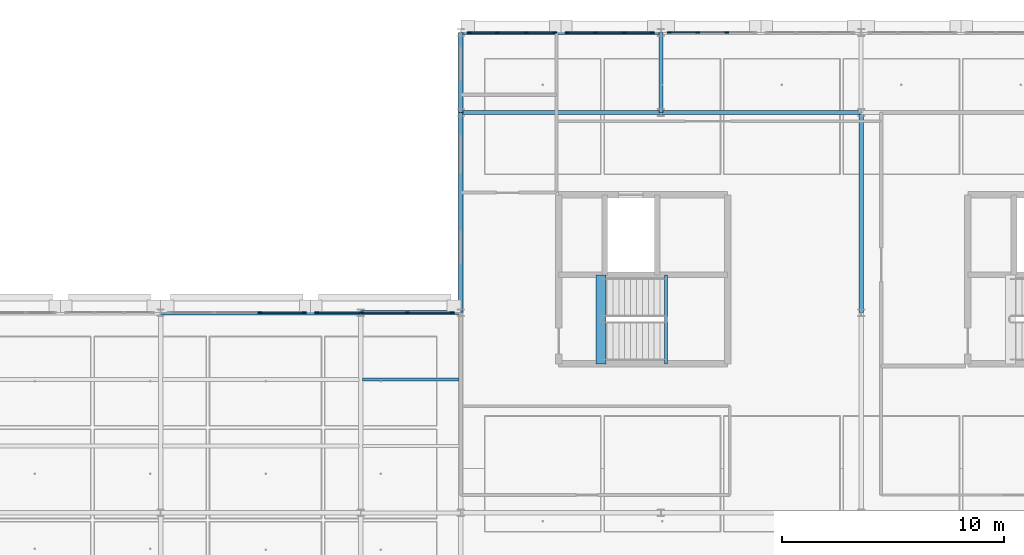
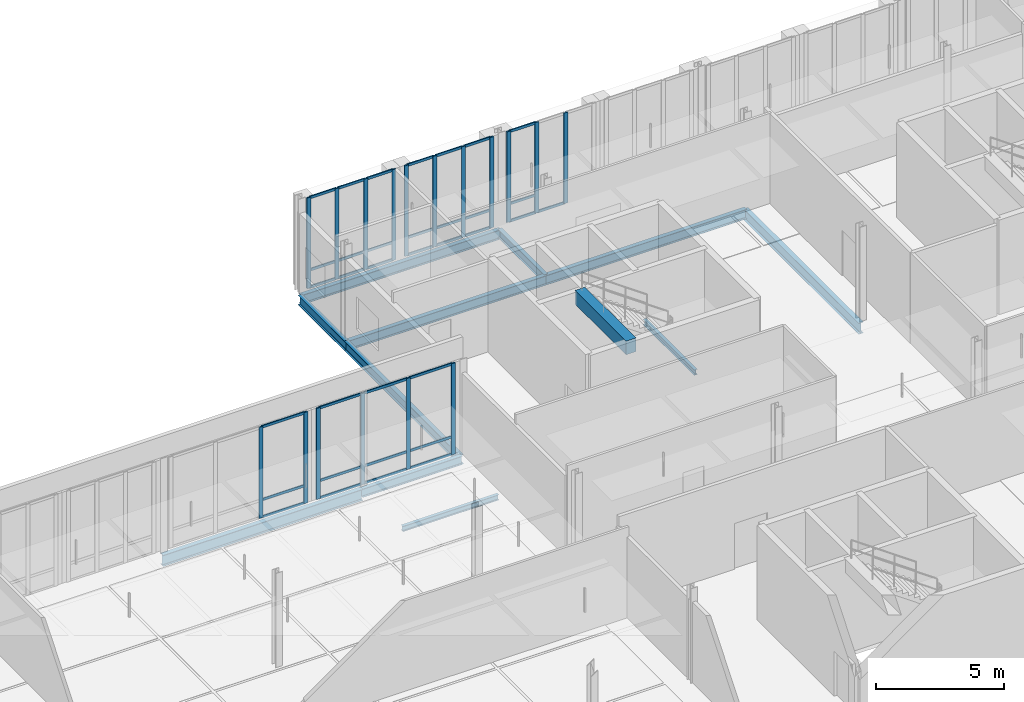
# One storey, part 28 of 89: 51 members, 12 beams, 5 elements without a shape of their own.
"""IFC4 building model written with IfcOpenShell, lengths in metres."""

import ifcopenshell
import ifcopenshell.guid

model = None  # the IFC model being written
_history = None  # IfcOwnerHistory: only IFC2X3 demands one
_inside = {}  # id of a spatial element -> (the spatial element, [elements in it])
_under = {}  # id of a project, library or spatial element -> (it, [spatial elements below it])
_declared = {}  # id of a project -> (the project, [libraries it declares])
_typed = {}  # id of a type object -> (the type object, [elements of that type])
_made_of = {}  # id of a material, layer set ... -> (it, [elements and type objects made of it])


def new_model(schema):
    """Start an empty IFC model of exactly this schema.

    Asked for "IFC4X3", IfcOpenShell would pick the latest addendum, in which some entities
    have other attributes; the version numbers below select the first issue.
    IFC2X3 requires an IfcOwnerHistory on every rooted entity: one is made here for all.
    """
    global model, _history
    if schema == "IFC4X3":
        model = ifcopenshell.file(schema_version=(4, 3, 0, 0))
    else:
        model = ifcopenshell.file(schema=schema)
    _inside.clear()
    _under.clear()
    _declared.clear()
    _typed.clear()
    _made_of.clear()
    _history = None
    if model.schema == "IFC2X3":
        org = make("IfcOrganization", Name="unknown")
        user = make(
            "IfcPersonAndOrganization",
            ThePerson=make("IfcPerson", FamilyName="unknown"),
            TheOrganization=org,
        )
        app = make(
            "IfcApplication",
            ApplicationDeveloper=org,
            Version="unknown",
            ApplicationFullName="unknown",
            ApplicationIdentifier="unknown",
        )
        _history = make(
            "IfcOwnerHistory",
            OwningUser=user,
            OwningApplication=app,
            ChangeAction="ADDED",
            CreationDate=0,
        )
    return model


def make(cls, **values):
    """One entity of the class cls with the attributes given. An attribute that is None is left unset."""
    return model.create_entity(
        cls, **{name: value for name, value in values.items() if value is not None}
    )


def rooted(cls, **values):
    """An entity with a GlobalId (a new one), such as an element, a storey or a relation."""
    return make(cls, GlobalId=ifcopenshell.guid.new(), OwnerHistory=_history, **values)


def si_unit(unit_type, name, prefix=None):
    """IfcSIUnit, for example si_unit("LENGTHUNIT", "METRE", prefix="MILLI")."""
    return make("IfcSIUnit", UnitType=unit_type, Prefix=prefix, Name=name)


def assignment(units):
    """IfcUnitAssignment: the units of a project."""
    return None if units is None else make("IfcUnitAssignment", Units=units)


def point(xyz):
    """IfcCartesianPoint."""
    return None if xyz is None else make("IfcCartesianPoint", Coordinates=xyz)


def direction(xyz):
    """IfcDirection."""
    return None if xyz is None else make("IfcDirection", DirectionRatios=xyz)


def frame(location, z_axis=None, x_axis=None):
    """IfcAxis2Placement3D, a coordinate frame: its origin and axes. An axis left out is left unset."""
    return make(
        "IfcAxis2Placement3D",
        Location=point(location),
        Axis=direction(z_axis),
        RefDirection=direction(x_axis),
    )


def frame_2d(location, x_axis=None):
    """IfcAxis2Placement2D, a coordinate frame in the plane: its origin and x axis."""
    return make(
        "IfcAxis2Placement2D", Location=point(location), RefDirection=direction(x_axis)
    )


def origin():
    """The frame at (0, 0, 0) with its axes left unset."""
    return frame((0.0, 0.0, 0.0))


def origin_2d():
    """The frame at (0, 0) in the plane with its x axis left unset."""
    return frame_2d((0.0, 0.0))


def place(relative_to, where):
    """IfcLocalPlacement: puts the frame where relative to a parent placement (None: the world)."""
    return make(
        "IfcLocalPlacement", PlacementRelTo=relative_to, RelativePlacement=where
    )


def context(
    kind, dimensions, precision=None, world=None, true_north=None, identifier=None
):
    """IfcGeometricRepresentationContext, for example the 3D "Model" context."""
    return make(
        "IfcGeometricRepresentationContext",
        ContextIdentifier=identifier,
        ContextType=kind,
        CoordinateSpaceDimension=dimensions,
        Precision=precision,
        WorldCoordinateSystem=world,
        TrueNorth=true_north,
    )


def subcontext(parent, identifier, kind, view, scale=None):
    """IfcGeometricRepresentationSubContext, for example "Body" below "Model"."""
    return make(
        "IfcGeometricRepresentationSubContext",
        ContextIdentifier=identifier,
        ContextType=kind,
        ParentContext=parent,
        TargetScale=scale,
        TargetView=view,
    )


def project(units=None, contexts=None):
    """IfcProject with its units and contexts."""
    return rooted(
        "IfcProject",
        Name="project",
        RepresentationContexts=contexts,
        UnitsInContext=assignment(units),
    )


def spatial(cls, under=None, at=None, **own):
    """A site, building, storey or space (cls), placed at a placement, below another one or the project."""
    s = rooted(cls, ObjectPlacement=at, **own)
    if under is not None:
        _under.setdefault(under.id(), (under, []))[1].append(s)
    return s


def profile(cls, at=None, kind="AREA", **sizes):
    """A parametric profile (cls). Its sizes go by their IFC names, for example OverallWidth=200.0."""
    return make(cls, ProfileType=kind, Position=at, **sizes)


def rectangle(**sizes):
    """IfcRectangleProfileDef."""
    return profile("IfcRectangleProfileDef", **sizes)


def i_section(**sizes):
    """IfcIShapeProfileDef."""
    return profile("IfcIShapeProfileDef", **sizes)


def extrude(swept, where, along, depth):
    """IfcExtrudedAreaSolid: the profile swept, set in the frame where, extruded along a direction by depth."""
    return make(
        "IfcExtrudedAreaSolid",
        SweptArea=swept,
        Position=where,
        ExtrudedDirection=direction(along),
        Depth=depth,
    )


def shape(context_of_items, identifier, shape_type, items):
    """IfcShapeRepresentation: the items that make up one representation, for example the "Body"."""
    return make(
        "IfcShapeRepresentation",
        ContextOfItems=context_of_items,
        RepresentationIdentifier=identifier,
        RepresentationType=shape_type,
        Items=items,
    )


def material(Name=None, Category=None):
    """IfcMaterial."""
    return make("IfcMaterial", Name=Name, Category=Category)


def material_profile(
    of_material, cross_section, Name=None, Category=None, Priority=None
):
    """IfcMaterialProfile: a cross section and its material."""
    return make(
        "IfcMaterialProfile",
        Name=Name,
        Material=of_material,
        Profile=cross_section,
        Priority=Priority,
        Category=Category,
    )


def profile_set(profiles, Name=None, composite=None):
    """IfcMaterialProfileSet."""
    return make(
        "IfcMaterialProfileSet",
        Name=Name,
        MaterialProfiles=profiles,
        CompositeProfile=composite,
    )


def made_of(thing, what):
    """Note that an element or type object is made of a material, layer set ...; save() writes the relation."""
    if what is not None:
        _made_of.setdefault(what.id(), (what, []))[1].append(thing)
    return thing


def type_object(cls, material=None, **own):
    """A type object (cls), such as IfcWallType, which elements share."""
    return made_of(rooted(cls, **own), material)


def element(
    cls,
    number,
    at=None,
    inside=None,
    cuts=None,
    type_object=None,
    material=None,
    context=None,
    identifier="Body",
    shape_type=None,
    held_by="IfcProductDefinitionShape",
    body=None,
    shapes=None,
    **own,
):
    """One element of the class cls, such as IfcWall. Its Tag is "e" and its number.

    at: its placement. inside: the storey or other place that contains it. cuts: it is an
    opening in that element (IfcRelVoidsElement). A single representation is given by context,
    identifier, shape_type and body (its items); several are given by shapes. held_by: the class
    of the entity that holds the representations. save() writes the other relations.
    """
    e = rooted(cls, Tag="e%d" % number, ObjectPlacement=at, **own)
    if body is not None:
        shapes = [shape(context, identifier, shape_type, body)]
    if shapes is not None:
        e.Representation = make(held_by, Representations=shapes)
    if inside is not None:
        _inside.setdefault(inside.id(), (inside, []))[1].append(e)
    if cuts is not None:
        rooted(
            "IfcRelVoidsElement", RelatingBuildingElement=cuts, RelatedOpeningElement=e
        )
    if type_object is not None:
        _typed.setdefault(type_object.id(), (type_object, []))[1].append(e)
    return made_of(e, material)


def aggregate(whole, parts):
    """IfcRelAggregates: a whole, such as a stair, and the parts it consists of."""
    return rooted("IfcRelAggregates", RelatingObject=whole, RelatedObjects=parts)


def save(model, path):
    """Write the relations noted so far, then the file.

    IfcRelAggregates (storeys below a building ...), IfcRelContainedInSpatialStructure (elements
    in a storey), IfcRelDefinesByType, IfcRelAssociatesMaterial and IfcRelDeclares: one each for
    every whole, place, type object, material and project.
    """
    for whole, parts in _under.values():
        aggregate(whole, parts)
    for where, things in _inside.values():
        rooted(
            "IfcRelContainedInSpatialStructure",
            RelatedElements=things,
            RelatingStructure=where,
        )
    for kind, things in _typed.values():
        rooted("IfcRelDefinesByType", RelatedObjects=things, RelatingType=kind)
    for what, things in _made_of.values():
        rooted("IfcRelAssociatesMaterial", RelatedObjects=things, RelatingMaterial=what)
    for by, libraries in _declared.values():
        rooted("IfcRelDeclares", RelatingContext=by, RelatedDefinitions=libraries)
    model.write(path)


model = new_model("IFC4")

# Units and contexts
model_context = context("Model", 3, precision=1e-05, world=origin(), true_north=direction((0.0, 1.0)))
body_context = subcontext(model_context, "Body", "Model", "MODEL_VIEW")
ifc_project = project(units=[si_unit("LENGTHUNIT", "METRE"), si_unit("AREAUNIT", "SQUARE_METRE"), si_unit("VOLUMEUNIT", "CUBIC_METRE"), si_unit("PLANEANGLEUNIT", "RADIAN"), si_unit("MASSUNIT", "GRAM", prefix="KILO"), si_unit("THERMODYNAMICTEMPERATUREUNIT", "KELVIN"), si_unit("POWERUNIT", "WATT")], contexts=[model_context])

# Site, building, storey
site_placement = place(None, origin())
site = spatial("IfcSite", under=ifc_project, at=site_placement, CompositionType="ELEMENT")
building_placement = place(site_placement, origin())
building = spatial("IfcBuilding", under=site, at=building_placement, Name="Tallowbark Science Centre", CompositionType="ELEMENT")
storey_placement = place(building_placement, frame((0.0, 0.0, 14.39990234375)))
storey = spatial("IfcBuildingStorey", under=building, at=storey_placement, Name="L03", CompositionType="ELEMENT", Elevation=14.39990234375)

# Beams
ifc_material_1 = material(Name="Concrete Grade N40 (40 MPa)", Category="concrete")
ifc_material_profile_1 = material_profile(ifc_material_1, rectangle(XDim=0.449951171875, YDim=0.64990234375, at=origin_2d()), Name="RC450x650")
ifc_profile_set_1 = profile_set([ifc_material_profile_1], Name="Concrete Grade N40 (40 MPa)")
beam_type_1 = type_object("IfcBeamType", Name="BM-GB2-N40", PredefinedType="BEAM", material=ifc_profile_set_1)
beam_1_placement = place(storey_placement, frame((118.81005859375, 96.699951171875, 4.175048828125), z_axis=(0.0, 1.0, 0.0), x_axis=(-1.0, 0.0, 0.0)))
element("IfcBeam", 1, at=beam_1_placement, inside=storey, type_object=beam_type_1, Name="Stair ST-05 Landing Nosing Beam L03", PredefinedType="BEAM", context=body_context, shape_type="SweptSolid", body=[
    extrude(rectangle(XDim=0.449951171875, YDim=0.64990234375, at=origin_2d()), origin(), (0.0, 0.0, 1.0), 3.9951171875),
])
ifc_material_2 = material(Name="Structural Steel Grade 300PLUS (300 MPa)", Category="steel")
ifc_material_profile_2 = material_profile(ifc_material_2, i_section(OverallWidth=0.177734375, OverallDepth=0.406494140625, WebThickness=0.0078125, FlangeThickness=0.0126953125, FilletRadius=0.011474609375, at=origin_2d()), Name="410UB59.7")
ifc_profile_set_2 = profile_set([ifc_material_profile_2], Name="Structural Steel Grade 300PLUS (300 MPa)")
beam_type_2 = type_object("IfcBeamType", Name="BM-UB410", PredefinedType="BEAM", material=ifc_profile_set_2)
beam_2_placement = place(storey_placement, frame((108.0, 99.0, -0.383056640625), z_axis=(1.0, 0.0, 0.0), x_axis=(0.0, 1.0, 0.0)))
element("IfcBeam", 2, at=beam_2_placement, inside=storey, type_object=beam_type_2, Name="Primary Girder GRDX-L03-1080-1125-990", PredefinedType="BEAM", context=body_context, shape_type="SweptSolid", body=[
    extrude(i_section(OverallWidth=0.177734375, OverallDepth=0.406494140625, WebThickness=0.0078125, FlangeThickness=0.0126953125, FilletRadius=0.011474609375, at=origin_2d()), origin(), (0.0, 0.0, 1.0), 4.5),
])
beam_3_placement = place(storey_placement, frame((121.5, 108.0, -0.383056640625), z_axis=(0.0, 1.0, 0.0), x_axis=(-1.0, 0.0, 0.0)))
element("IfcBeam", 3, at=beam_3_placement, inside=storey, type_object=beam_type_2, Name="Primary Girder GRDY-L03-1215-1080-1116", PredefinedType="BEAM", context=body_context, shape_type="SweptSolid", body=[
    extrude(i_section(OverallWidth=0.177734375, OverallDepth=0.406494140625, WebThickness=0.0078125, FlangeThickness=0.0126953125, FilletRadius=0.011474609375, at=origin_2d()), origin(), (0.0, 0.0, 1.0), 3.60009765625),
])
ifc_material_profile_3 = material_profile(ifc_material_2, i_section(OverallWidth=0.208984375, OverallDepth=0.532958984375, WebThickness=0.01025390625, FlangeThickness=0.015625, FilletRadius=0.013916015625, at=origin_2d()), Name="530UB92.4")
ifc_profile_set_3 = profile_set([ifc_material_profile_3], Name="Structural Steel Grade 300PLUS (300 MPa)")
beam_type_3 = type_object("IfcBeamType", Name="BM-UB530A", PredefinedType="BEAM", material=ifc_profile_set_3)
beam_4_placement = place(storey_placement, frame((99.0, 99.0, -0.4462890625), z_axis=(1.0, 0.0, 0.0), x_axis=(0.0, 1.0, 0.0)))
element("IfcBeam", 4, at=beam_4_placement, inside=storey, type_object=beam_type_3, Name="Primary Girder GRDX-L03-990-1080-990", PredefinedType="BEAM", context=body_context, shape_type="SweptSolid", body=[
    extrude(i_section(OverallWidth=0.208984375, OverallDepth=0.532958984375, WebThickness=0.01025390625, FlangeThickness=0.015625, FilletRadius=0.013916015625, at=origin_2d()), origin(), (0.0, 0.0, 1.0), 9.0),
])
ifc_material_profile_4 = material_profile(ifc_material_2, i_section(OverallWidth=0.208740234375, OverallDepth=0.5283203125, WebThickness=0.009521484375, FlangeThickness=0.01318359375, FilletRadius=0.013916015625, at=origin_2d()), Name="530UB82.0")
ifc_profile_set_4 = profile_set([ifc_material_profile_4], Name="Structural Steel Grade 300PLUS (300 MPa)")
beam_type_4 = type_object("IfcBeamType", Name="BM-UB530B", PredefinedType="BEAM", material=ifc_profile_set_4)
beam_5_placement = place(storey_placement, frame((130.5, 99.0, -0.444091796875), z_axis=(0.0, 1.0, 0.0), x_axis=(-1.0, 0.0, 0.0)))
element("IfcBeam", 5, at=beam_5_placement, inside=storey, type_object=beam_type_4, Name="Primary Girder GRDY-L03-1305-990-1080", PredefinedType="BEAM", context=body_context, shape_type="SweptSolid", body=[
    extrude(i_section(OverallWidth=0.208740234375, OverallDepth=0.5283203125, WebThickness=0.009521484375, FlangeThickness=0.01318359375, FilletRadius=0.013916015625, at=origin_2d()), origin(), (0.0, 0.0, 1.0), 9.0),
])

# Curtain wall, members
ifc_material_3 = material(Name="Unitised Thermally Broken Aluminium and Low-E Double Glazing", Category="aluminium")
curtain_wall_type = type_object("IfcCurtainWallType", Name="CW-SYS-FACADE", PredefinedType="NOTDEFINED", material=ifc_material_3)
curtain_wall_1_placement = place(storey_placement, origin())
curtain_wall_1 = element("IfcCurtainWall", 6, at=curtain_wall_1_placement, inside=storey, type_object=curtain_wall_type, Name="Unitised Curtain Wall LAB-N-99A CW-L03-088", PredefinedType="NOTDEFINED")
ifc_material_4 = material(Name="Anodised Architectural Aluminium Alloy 6063-T6", Category="aluminium")
ifc_material_profile_5 = material_profile(ifc_material_4, rectangle(XDim=0.06494140625, YDim=0.179931640625, at=origin_2d()), Name="ALU65x180")
ifc_profile_set_5 = profile_set([ifc_material_profile_5], Name="Anodised Architectural Aluminium Alloy 6063-T6")
member_type_1 = type_object("IfcMemberType", Name="CWM-MUL-220", PredefinedType="MULLION", material=ifc_profile_set_5)
member_1_placement = place(storey_placement, frame((112.117431640625, 99.0, 0.0), z_axis=(0.0, 0.0, 1.0), x_axis=(0.0, -1.0, 0.0)))
member_1 = element("IfcMember", 7, at=member_1_placement, type_object=member_type_1, Name="CW-01 mullion 1", PredefinedType="MULLION", context=body_context, shape_type="SweptSolid", body=[
    extrude(rectangle(XDim=0.06494140625, YDim=0.179931640625, at=origin_2d()), origin(), (0.0, 0.0, 1.0), 4.340087890625),
])
member_2_placement = place(storey_placement, frame((110.10009765625, 99.0, 0.0), z_axis=(0.0, 0.0, 1.0), x_axis=(0.0, -1.0, 0.0)))
member_2 = element("IfcMember", 8, at=member_2_placement, type_object=member_type_1, Name="CW-01 mullion 2", PredefinedType="MULLION", context=body_context, shape_type="SweptSolid", body=[
    extrude(rectangle(XDim=0.06494140625, YDim=0.179931640625, at=origin_2d()), origin(), (0.0, 0.0, 1.0), 4.340087890625),
])
member_3_placement = place(storey_placement, frame((108.050048828125, 99.0, 0.0), z_axis=(0.0, 0.0, 1.0), x_axis=(0.0, -1.0, 0.0)))
member_3 = element("IfcMember", 9, at=member_3_placement, type_object=member_type_1, Name="CW-01 mullion 3", PredefinedType="MULLION", context=body_context, shape_type="SweptSolid", body=[
    extrude(rectangle(XDim=0.06494140625, YDim=0.179931640625, at=origin_2d()), origin(), (0.0, 0.0, 1.0), 4.340087890625),
])
member_4_placement = place(storey_placement, frame((106.032470703125, 99.0, 0.0), z_axis=(0.0, 0.0, 1.0), x_axis=(0.0, -1.0, 0.0)))
member_4 = element("IfcMember", 10, at=member_4_placement, type_object=member_type_1, Name="CW-01 mullion 4", PredefinedType="MULLION", context=body_context, shape_type="SweptSolid", body=[
    extrude(rectangle(XDim=0.06494140625, YDim=0.179931640625, at=origin_2d()), origin(), (0.0, 0.0, 1.0), 4.340087890625),
])

curtain_wall_2_placement = place(storey_placement, origin())
curtain_wall_2 = element("IfcCurtainWall", 11, at=curtain_wall_2_placement, inside=storey, type_object=curtain_wall_type, Name="Unitised Curtain Wall LAB-N-99B CW-L03-089", PredefinedType="NOTDEFINED")
member_5_placement = place(storey_placement, frame((105.467529296875, 99.0, 0.0), z_axis=(0.0, 0.0, 1.0), x_axis=(0.0, -1.0, 0.0)))
member_5 = element("IfcMember", 12, at=member_5_placement, type_object=member_type_1, Name="CW-01 mullion 1", PredefinedType="MULLION", context=body_context, shape_type="SweptSolid", body=[
    extrude(rectangle(XDim=0.06494140625, YDim=0.179931640625, at=origin_2d()), origin(), (0.0, 0.0, 1.0), 4.340087890625),
])
member_6_placement = place(storey_placement, frame((103.449951171875, 99.0, 0.0), z_axis=(0.0, 0.0, 1.0), x_axis=(0.0, -1.0, 0.0)))
member_6 = element("IfcMember", 13, at=member_6_placement, type_object=member_type_1, Name="CW-01 mullion 2", PredefinedType="MULLION", context=body_context, shape_type="SweptSolid", body=[
    extrude(rectangle(XDim=0.06494140625, YDim=0.179931640625, at=origin_2d()), origin(), (0.0, 0.0, 1.0), 4.340087890625),
])

curtain_wall_3_placement = place(storey_placement, origin())
curtain_wall_3 = element("IfcCurtainWall", 14, at=curtain_wall_3_placement, inside=storey, type_object=curtain_wall_type, Name="Unitised Curtain Wall OBS-N-112A CW-L03-166", PredefinedType="NOTDEFINED")
member_7_placement = place(storey_placement, frame((121.117431640625, 111.60009765625, 0.0), z_axis=(0.0, 0.0, 1.0), x_axis=(0.0, -1.0, 0.0)))
member_7 = element("IfcMember", 15, at=member_7_placement, type_object=member_type_1, Name="CW-01 mullion 1", PredefinedType="MULLION", context=body_context, shape_type="SweptSolid", body=[
    extrude(rectangle(XDim=0.06494140625, YDim=0.179931640625, at=origin_2d()), origin(), (0.0, 0.0, 1.0), 4.320068359375),
])
member_8_placement = place(storey_placement, frame((119.85009765625, 111.60009765625, 0.0), z_axis=(0.0, 0.0, 1.0), x_axis=(0.0, -1.0, 0.0)))
member_8 = element("IfcMember", 16, at=member_8_placement, type_object=member_type_1, Name="CW-01 mullion 2", PredefinedType="MULLION", context=body_context, shape_type="SweptSolid", body=[
    extrude(rectangle(XDim=0.06494140625, YDim=0.179931640625, at=origin_2d()), origin(), (0.0, 0.0, 1.0), 4.320068359375),
])
member_9_placement = place(storey_placement, frame((118.550048828125, 111.60009765625, 0.0), z_axis=(0.0, 0.0, 1.0), x_axis=(0.0, -1.0, 0.0)))
member_9 = element("IfcMember", 17, at=member_9_placement, type_object=member_type_1, Name="CW-01 mullion 3", PredefinedType="MULLION", context=body_context, shape_type="SweptSolid", body=[
    extrude(rectangle(XDim=0.06494140625, YDim=0.179931640625, at=origin_2d()), origin(), (0.0, 0.0, 1.0), 4.320068359375),
])
member_10_placement = place(storey_placement, frame((117.282470703125, 111.60009765625, 0.0), z_axis=(0.0, 0.0, 1.0), x_axis=(0.0, -1.0, 0.0)))
member_10 = element("IfcMember", 18, at=member_10_placement, type_object=member_type_1, Name="CW-01 mullion 4", PredefinedType="MULLION", context=body_context, shape_type="SweptSolid", body=[
    extrude(rectangle(XDim=0.06494140625, YDim=0.179931640625, at=origin_2d()), origin(), (0.0, 0.0, 1.0), 4.320068359375),
])

curtain_wall_4_placement = place(storey_placement, origin())
curtain_wall_4 = element("IfcCurtainWall", 19, at=curtain_wall_4_placement, inside=storey, type_object=curtain_wall_type, Name="Unitised Curtain Wall OBS-N-112B CW-L03-167", PredefinedType="NOTDEFINED")
member_11_placement = place(storey_placement, frame((116.717529296875, 111.60009765625, 0.0), z_axis=(0.0, 0.0, 1.0), x_axis=(0.0, -1.0, 0.0)))
member_11 = element("IfcMember", 20, at=member_11_placement, type_object=member_type_1, Name="CW-01 mullion 1", PredefinedType="MULLION", context=body_context, shape_type="SweptSolid", body=[
    extrude(rectangle(XDim=0.06494140625, YDim=0.179931640625, at=origin_2d()), origin(), (0.0, 0.0, 1.0), 4.320068359375),
])
member_12_placement = place(storey_placement, frame((115.449951171875, 111.60009765625, 0.0), z_axis=(0.0, 0.0, 1.0), x_axis=(0.0, -1.0, 0.0)))
member_12 = element("IfcMember", 21, at=member_12_placement, type_object=member_type_1, Name="CW-01 mullion 2", PredefinedType="MULLION", context=body_context, shape_type="SweptSolid", body=[
    extrude(rectangle(XDim=0.06494140625, YDim=0.179931640625, at=origin_2d()), origin(), (0.0, 0.0, 1.0), 4.320068359375),
])
member_13_placement = place(storey_placement, frame((114.14990234375, 111.60009765625, 0.0), z_axis=(0.0, 0.0, 1.0), x_axis=(0.0, -1.0, 0.0)))
member_13 = element("IfcMember", 22, at=member_13_placement, type_object=member_type_1, Name="CW-01 mullion 3", PredefinedType="MULLION", context=body_context, shape_type="SweptSolid", body=[
    extrude(rectangle(XDim=0.06494140625, YDim=0.179931640625, at=origin_2d()), origin(), (0.0, 0.0, 1.0), 4.320068359375),
])
member_14_placement = place(storey_placement, frame((112.882568359375, 111.60009765625, 0.0), z_axis=(0.0, 0.0, 1.0), x_axis=(0.0, -1.0, 0.0)))
member_14 = element("IfcMember", 23, at=member_14_placement, type_object=member_type_1, Name="CW-01 mullion 4", PredefinedType="MULLION", context=body_context, shape_type="SweptSolid", body=[
    extrude(rectangle(XDim=0.06494140625, YDim=0.179931640625, at=origin_2d()), origin(), (0.0, 0.0, 1.0), 4.320068359375),
])

curtain_wall_5_placement = place(storey_placement, origin())
curtain_wall_5 = element("IfcCurtainWall", 24, at=curtain_wall_5_placement, inside=storey, type_object=curtain_wall_type, Name="Unitised Curtain Wall OBS-N-121B CW-L03-171", PredefinedType="NOTDEFINED")
member_15_placement = place(storey_placement, frame((124.449951171875, 111.60009765625, 0.0), z_axis=(0.0, 0.0, 1.0), x_axis=(0.0, -1.0, 0.0)))
member_15 = element("IfcMember", 25, at=member_15_placement, type_object=member_type_1, Name="CW-01 mullion 2", PredefinedType="MULLION", context=body_context, shape_type="SweptSolid", body=[
    extrude(rectangle(XDim=0.06494140625, YDim=0.179931640625, at=origin_2d()), origin(), (0.0, 0.0, 1.0), 4.320068359375),
])
member_16_placement = place(storey_placement, frame((123.14990234375, 111.60009765625, 0.0), z_axis=(0.0, 0.0, 1.0), x_axis=(0.0, -1.0, 0.0)))
member_16 = element("IfcMember", 26, at=member_16_placement, type_object=member_type_1, Name="CW-01 mullion 3", PredefinedType="MULLION", context=body_context, shape_type="SweptSolid", body=[
    extrude(rectangle(XDim=0.06494140625, YDim=0.179931640625, at=origin_2d()), origin(), (0.0, 0.0, 1.0), 4.320068359375),
])
member_17_placement = place(storey_placement, frame((121.882568359375, 111.60009765625, 0.0), z_axis=(0.0, 0.0, 1.0), x_axis=(0.0, -1.0, 0.0)))
member_17 = element("IfcMember", 27, at=member_17_placement, type_object=member_type_1, Name="CW-01 mullion 4", PredefinedType="MULLION", context=body_context, shape_type="SweptSolid", body=[
    extrude(rectangle(XDim=0.06494140625, YDim=0.179931640625, at=origin_2d()), origin(), (0.0, 0.0, 1.0), 4.320068359375),
])

# Member
ifc_material_profile_6 = material_profile(ifc_material_4, rectangle(XDim=0.054931640625, YDim=0.1201171875, at=origin_2d()), Name="ALU55x120")
ifc_profile_set_6 = profile_set([ifc_material_profile_6], Name="Anodised Architectural Aluminium Alloy 6063-T6")
member_type_2 = type_object("IfcMemberType", Name="CWM-TRN-150", PredefinedType="USERDEFINED", material=ifc_profile_set_6)
member_18_placement = place(storey_placement, frame((112.0849609375, 99.0, 0.027587890625), z_axis=(-1.0, 0.0, 0.0), x_axis=(0.0, -1.0, 0.0)))
member_18 = element("IfcMember", 28, at=member_18_placement, type_object=member_type_2, Name="CW-01 transom 1.1", ObjectType="TRANSOM", PredefinedType="USERDEFINED", context=body_context, shape_type="SweptSolid", body=[
    extrude(rectangle(XDim=0.054931640625, YDim=0.1201171875, at=origin_2d()), origin(), (0.0, 0.0, 1.0), 1.952392578125),
])

member_19_placement = place(storey_placement, frame((112.0849609375, 99.0, 0.85009765625), z_axis=(-1.0, 0.0, 0.0), x_axis=(0.0, -1.0, 0.0)))
member_19 = element("IfcMember", 29, at=member_19_placement, type_object=member_type_2, Name="CW-01 transom 1.2", ObjectType="TRANSOM", PredefinedType="USERDEFINED", context=body_context, shape_type="SweptSolid", body=[
    extrude(rectangle(XDim=0.054931640625, YDim=0.1201171875, at=origin_2d()), origin(), (0.0, 0.0, 1.0), 1.952392578125),
])

member_20_placement = place(storey_placement, frame((112.0849609375, 99.0, 4.3125), z_axis=(-1.0, 0.0, 0.0), x_axis=(0.0, -1.0, 0.0)))
member_20 = element("IfcMember", 30, at=member_20_placement, type_object=member_type_2, Name="CW-01 transom 1.3", ObjectType="TRANSOM", PredefinedType="USERDEFINED", context=body_context, shape_type="SweptSolid", body=[
    extrude(rectangle(XDim=0.054931640625, YDim=0.1201171875, at=origin_2d()), origin(), (0.0, 0.0, 1.0), 1.952392578125),
])

member_21_placement = place(storey_placement, frame((110.0673828125, 99.0, 0.027587890625), z_axis=(-1.0, 0.0, 0.0), x_axis=(0.0, -1.0, 0.0)))
member_21 = element("IfcMember", 31, at=member_21_placement, type_object=member_type_2, Name="CW-01 transom 2.1", ObjectType="TRANSOM", PredefinedType="USERDEFINED", context=body_context, shape_type="SweptSolid", body=[
    extrude(rectangle(XDim=0.054931640625, YDim=0.1201171875, at=origin_2d()), origin(), (0.0, 0.0, 1.0), 1.98486328125),
])

member_22_placement = place(storey_placement, frame((110.0673828125, 99.0, 0.85009765625), z_axis=(-1.0, 0.0, 0.0), x_axis=(0.0, -1.0, 0.0)))
member_22 = element("IfcMember", 32, at=member_22_placement, type_object=member_type_2, Name="CW-01 transom 2.2", ObjectType="TRANSOM", PredefinedType="USERDEFINED", context=body_context, shape_type="SweptSolid", body=[
    extrude(rectangle(XDim=0.054931640625, YDim=0.1201171875, at=origin_2d()), origin(), (0.0, 0.0, 1.0), 1.98486328125),
])

member_23_placement = place(storey_placement, frame((110.0673828125, 99.0, 4.3125), z_axis=(-1.0, 0.0, 0.0), x_axis=(0.0, -1.0, 0.0)))
member_23 = element("IfcMember", 33, at=member_23_placement, type_object=member_type_2, Name="CW-01 transom 2.3", ObjectType="TRANSOM", PredefinedType="USERDEFINED", context=body_context, shape_type="SweptSolid", body=[
    extrude(rectangle(XDim=0.054931640625, YDim=0.1201171875, at=origin_2d()), origin(), (0.0, 0.0, 1.0), 1.98486328125),
])

member_24_placement = place(storey_placement, frame((108.017578125, 99.0, 0.027587890625), z_axis=(-1.0, 0.0, 0.0), x_axis=(0.0, -1.0, 0.0)))
member_24 = element("IfcMember", 34, at=member_24_placement, type_object=member_type_2, Name="CW-01 transom 3.1", ObjectType="TRANSOM", PredefinedType="USERDEFINED", context=body_context, shape_type="SweptSolid", body=[
    extrude(rectangle(XDim=0.054931640625, YDim=0.1201171875, at=origin_2d()), origin(), (0.0, 0.0, 1.0), 1.95263671875),
])

member_25_placement = place(storey_placement, frame((108.017578125, 99.0, 0.85009765625), z_axis=(-1.0, 0.0, 0.0), x_axis=(0.0, -1.0, 0.0)))
member_25 = element("IfcMember", 35, at=member_25_placement, type_object=member_type_2, Name="CW-01 transom 3.2", ObjectType="TRANSOM", PredefinedType="USERDEFINED", context=body_context, shape_type="SweptSolid", body=[
    extrude(rectangle(XDim=0.054931640625, YDim=0.1201171875, at=origin_2d()), origin(), (0.0, 0.0, 1.0), 1.95263671875),
])

member_26_placement = place(storey_placement, frame((108.017578125, 99.0, 4.3125), z_axis=(-1.0, 0.0, 0.0), x_axis=(0.0, -1.0, 0.0)))
member_26 = element("IfcMember", 36, at=member_26_placement, type_object=member_type_2, Name="CW-01 transom 3.3", ObjectType="TRANSOM", PredefinedType="USERDEFINED", context=body_context, shape_type="SweptSolid", body=[
    extrude(rectangle(XDim=0.054931640625, YDim=0.1201171875, at=origin_2d()), origin(), (0.0, 0.0, 1.0), 1.95263671875),
])

aggregate(curtain_wall_1, [member_1, member_2, member_3, member_4, member_18, member_19, member_20, member_21, member_22, member_23, member_24, member_25, member_26])

member_27_placement = place(storey_placement, frame((105.43505859375, 99.0, 0.027587890625), z_axis=(-1.0, 0.0, 0.0), x_axis=(0.0, -1.0, 0.0)))
member_27 = element("IfcMember", 37, at=member_27_placement, type_object=member_type_2, Name="CW-01 transom 1.1", ObjectType="TRANSOM", PredefinedType="USERDEFINED", context=body_context, shape_type="SweptSolid", body=[
    extrude(rectangle(XDim=0.054931640625, YDim=0.1201171875, at=origin_2d()), origin(), (0.0, 0.0, 1.0), 1.95263671875),
])

member_28_placement = place(storey_placement, frame((105.43505859375, 99.0, 0.85009765625), z_axis=(-1.0, 0.0, 0.0), x_axis=(0.0, -1.0, 0.0)))
member_28 = element("IfcMember", 38, at=member_28_placement, type_object=member_type_2, Name="CW-01 transom 1.2", ObjectType="TRANSOM", PredefinedType="USERDEFINED", context=body_context, shape_type="SweptSolid", body=[
    extrude(rectangle(XDim=0.054931640625, YDim=0.1201171875, at=origin_2d()), origin(), (0.0, 0.0, 1.0), 1.95263671875),
])

member_29_placement = place(storey_placement, frame((105.43505859375, 99.0, 4.3125), z_axis=(-1.0, 0.0, 0.0), x_axis=(0.0, -1.0, 0.0)))
member_29 = element("IfcMember", 39, at=member_29_placement, type_object=member_type_2, Name="CW-01 transom 1.3", ObjectType="TRANSOM", PredefinedType="USERDEFINED", context=body_context, shape_type="SweptSolid", body=[
    extrude(rectangle(XDim=0.054931640625, YDim=0.1201171875, at=origin_2d()), origin(), (0.0, 0.0, 1.0), 1.95263671875),
])

aggregate(curtain_wall_2, [member_5, member_6, member_27, member_28, member_29])

member_30_placement = place(storey_placement, frame((121.0849609375, 111.60009765625, 0.027587890625), z_axis=(-1.0, 0.0, 0.0), x_axis=(0.0, -1.0, 0.0)))
member_30 = element("IfcMember", 40, at=member_30_placement, type_object=member_type_2, Name="CW-01 transom 1.1", ObjectType="TRANSOM", PredefinedType="USERDEFINED", context=body_context, shape_type="SweptSolid", body=[
    extrude(rectangle(XDim=0.054931640625, YDim=0.1201171875, at=origin_2d()), origin(), (0.0, 0.0, 1.0), 1.202392578125),
])

member_31_placement = place(storey_placement, frame((121.0849609375, 111.60009765625, 0.85009765625), z_axis=(-1.0, 0.0, 0.0), x_axis=(0.0, -1.0, 0.0)))
member_31 = element("IfcMember", 41, at=member_31_placement, type_object=member_type_2, Name="CW-01 transom 1.2", ObjectType="TRANSOM", PredefinedType="USERDEFINED", context=body_context, shape_type="SweptSolid", body=[
    extrude(rectangle(XDim=0.054931640625, YDim=0.1201171875, at=origin_2d()), origin(), (0.0, 0.0, 1.0), 1.202392578125),
])

member_32_placement = place(storey_placement, frame((121.0849609375, 111.60009765625, 4.29248046875), z_axis=(-1.0, 0.0, 0.0), x_axis=(0.0, -1.0, 0.0)))
member_32 = element("IfcMember", 42, at=member_32_placement, type_object=member_type_2, Name="CW-01 transom 1.3", ObjectType="TRANSOM", PredefinedType="USERDEFINED", context=body_context, shape_type="SweptSolid", body=[
    extrude(rectangle(XDim=0.054931640625, YDim=0.1201171875, at=origin_2d()), origin(), (0.0, 0.0, 1.0), 1.202392578125),
])

member_33_placement = place(storey_placement, frame((119.8173828125, 111.60009765625, 0.027587890625), z_axis=(-1.0, 0.0, 0.0), x_axis=(0.0, -1.0, 0.0)))
member_33 = element("IfcMember", 43, at=member_33_placement, type_object=member_type_2, Name="CW-01 transom 2.1", ObjectType="TRANSOM", PredefinedType="USERDEFINED", context=body_context, shape_type="SweptSolid", body=[
    extrude(rectangle(XDim=0.054931640625, YDim=0.1201171875, at=origin_2d()), origin(), (0.0, 0.0, 1.0), 1.23486328125),
])

member_34_placement = place(storey_placement, frame((119.8173828125, 111.60009765625, 0.85009765625), z_axis=(-1.0, 0.0, 0.0), x_axis=(0.0, -1.0, 0.0)))
member_34 = element("IfcMember", 44, at=member_34_placement, type_object=member_type_2, Name="CW-01 transom 2.2", ObjectType="TRANSOM", PredefinedType="USERDEFINED", context=body_context, shape_type="SweptSolid", body=[
    extrude(rectangle(XDim=0.054931640625, YDim=0.1201171875, at=origin_2d()), origin(), (0.0, 0.0, 1.0), 1.23486328125),
])

member_35_placement = place(storey_placement, frame((119.8173828125, 111.60009765625, 4.29248046875), z_axis=(-1.0, 0.0, 0.0), x_axis=(0.0, -1.0, 0.0)))
member_35 = element("IfcMember", 45, at=member_35_placement, type_object=member_type_2, Name="CW-01 transom 2.3", ObjectType="TRANSOM", PredefinedType="USERDEFINED", context=body_context, shape_type="SweptSolid", body=[
    extrude(rectangle(XDim=0.054931640625, YDim=0.1201171875, at=origin_2d()), origin(), (0.0, 0.0, 1.0), 1.23486328125),
])

member_36_placement = place(storey_placement, frame((118.517578125, 111.60009765625, 0.027587890625), z_axis=(-1.0, 0.0, 0.0), x_axis=(0.0, -1.0, 0.0)))
member_36 = element("IfcMember", 46, at=member_36_placement, type_object=member_type_2, Name="CW-01 transom 3.1", ObjectType="TRANSOM", PredefinedType="USERDEFINED", context=body_context, shape_type="SweptSolid", body=[
    extrude(rectangle(XDim=0.054931640625, YDim=0.1201171875, at=origin_2d()), origin(), (0.0, 0.0, 1.0), 1.20263671875),
])

member_37_placement = place(storey_placement, frame((118.517578125, 111.60009765625, 0.85009765625), z_axis=(-1.0, 0.0, 0.0), x_axis=(0.0, -1.0, 0.0)))
member_37 = element("IfcMember", 47, at=member_37_placement, type_object=member_type_2, Name="CW-01 transom 3.2", ObjectType="TRANSOM", PredefinedType="USERDEFINED", context=body_context, shape_type="SweptSolid", body=[
    extrude(rectangle(XDim=0.054931640625, YDim=0.1201171875, at=origin_2d()), origin(), (0.0, 0.0, 1.0), 1.20263671875),
])

member_38_placement = place(storey_placement, frame((118.517578125, 111.60009765625, 4.29248046875), z_axis=(-1.0, 0.0, 0.0), x_axis=(0.0, -1.0, 0.0)))
member_38 = element("IfcMember", 48, at=member_38_placement, type_object=member_type_2, Name="CW-01 transom 3.3", ObjectType="TRANSOM", PredefinedType="USERDEFINED", context=body_context, shape_type="SweptSolid", body=[
    extrude(rectangle(XDim=0.054931640625, YDim=0.1201171875, at=origin_2d()), origin(), (0.0, 0.0, 1.0), 1.20263671875),
])

aggregate(curtain_wall_3, [member_7, member_8, member_9, member_10, member_30, member_31, member_32, member_33, member_34, member_35, member_36, member_37, member_38])

member_39_placement = place(storey_placement, frame((116.68505859375, 111.60009765625, 0.027587890625), z_axis=(-1.0, 0.0, 0.0), x_axis=(0.0, -1.0, 0.0)))
member_39 = element("IfcMember", 49, at=member_39_placement, type_object=member_type_2, Name="CW-01 transom 1.1", ObjectType="TRANSOM", PredefinedType="USERDEFINED", context=body_context, shape_type="SweptSolid", body=[
    extrude(rectangle(XDim=0.054931640625, YDim=0.1201171875, at=origin_2d()), origin(), (0.0, 0.0, 1.0), 1.20263671875),
])

member_40_placement = place(storey_placement, frame((116.68505859375, 111.60009765625, 0.85009765625), z_axis=(-1.0, 0.0, 0.0), x_axis=(0.0, -1.0, 0.0)))
member_40 = element("IfcMember", 50, at=member_40_placement, type_object=member_type_2, Name="CW-01 transom 1.2", ObjectType="TRANSOM", PredefinedType="USERDEFINED", context=body_context, shape_type="SweptSolid", body=[
    extrude(rectangle(XDim=0.054931640625, YDim=0.1201171875, at=origin_2d()), origin(), (0.0, 0.0, 1.0), 1.20263671875),
])

member_41_placement = place(storey_placement, frame((116.68505859375, 111.60009765625, 4.29248046875), z_axis=(-1.0, 0.0, 0.0), x_axis=(0.0, -1.0, 0.0)))
member_41 = element("IfcMember", 51, at=member_41_placement, type_object=member_type_2, Name="CW-01 transom 1.3", ObjectType="TRANSOM", PredefinedType="USERDEFINED", context=body_context, shape_type="SweptSolid", body=[
    extrude(rectangle(XDim=0.054931640625, YDim=0.1201171875, at=origin_2d()), origin(), (0.0, 0.0, 1.0), 1.20263671875),
])

member_42_placement = place(storey_placement, frame((115.41748046875, 111.60009765625, 0.027587890625), z_axis=(-1.0, 0.0, 0.0), x_axis=(0.0, -1.0, 0.0)))
member_42 = element("IfcMember", 52, at=member_42_placement, type_object=member_type_2, Name="CW-01 transom 2.1", ObjectType="TRANSOM", PredefinedType="USERDEFINED", context=body_context, shape_type="SweptSolid", body=[
    extrude(rectangle(XDim=0.054931640625, YDim=0.1201171875, at=origin_2d()), origin(), (0.0, 0.0, 1.0), 1.23486328125),
])

member_43_placement = place(storey_placement, frame((115.41748046875, 111.60009765625, 0.85009765625), z_axis=(-1.0, 0.0, 0.0), x_axis=(0.0, -1.0, 0.0)))
member_43 = element("IfcMember", 53, at=member_43_placement, type_object=member_type_2, Name="CW-01 transom 2.2", ObjectType="TRANSOM", PredefinedType="USERDEFINED", context=body_context, shape_type="SweptSolid", body=[
    extrude(rectangle(XDim=0.054931640625, YDim=0.1201171875, at=origin_2d()), origin(), (0.0, 0.0, 1.0), 1.23486328125),
])

member_44_placement = place(storey_placement, frame((115.41748046875, 111.60009765625, 4.29248046875), z_axis=(-1.0, 0.0, 0.0), x_axis=(0.0, -1.0, 0.0)))
member_44 = element("IfcMember", 54, at=member_44_placement, type_object=member_type_2, Name="CW-01 transom 2.3", ObjectType="TRANSOM", PredefinedType="USERDEFINED", context=body_context, shape_type="SweptSolid", body=[
    extrude(rectangle(XDim=0.054931640625, YDim=0.1201171875, at=origin_2d()), origin(), (0.0, 0.0, 1.0), 1.23486328125),
])

member_45_placement = place(storey_placement, frame((114.117431640625, 111.60009765625, 0.027587890625), z_axis=(-1.0, 0.0, 0.0), x_axis=(0.0, -1.0, 0.0)))
member_45 = element("IfcMember", 55, at=member_45_placement, type_object=member_type_2, Name="CW-01 transom 3.1", ObjectType="TRANSOM", PredefinedType="USERDEFINED", context=body_context, shape_type="SweptSolid", body=[
    extrude(rectangle(XDim=0.054931640625, YDim=0.1201171875, at=origin_2d()), origin(), (0.0, 0.0, 1.0), 1.202392578125),
])

member_46_placement = place(storey_placement, frame((114.117431640625, 111.60009765625, 0.85009765625), z_axis=(-1.0, 0.0, 0.0), x_axis=(0.0, -1.0, 0.0)))
member_46 = element("IfcMember", 56, at=member_46_placement, type_object=member_type_2, Name="CW-01 transom 3.2", ObjectType="TRANSOM", PredefinedType="USERDEFINED", context=body_context, shape_type="SweptSolid", body=[
    extrude(rectangle(XDim=0.054931640625, YDim=0.1201171875, at=origin_2d()), origin(), (0.0, 0.0, 1.0), 1.202392578125),
])

member_47_placement = place(storey_placement, frame((114.117431640625, 111.60009765625, 4.29248046875), z_axis=(-1.0, 0.0, 0.0), x_axis=(0.0, -1.0, 0.0)))
member_47 = element("IfcMember", 57, at=member_47_placement, type_object=member_type_2, Name="CW-01 transom 3.3", ObjectType="TRANSOM", PredefinedType="USERDEFINED", context=body_context, shape_type="SweptSolid", body=[
    extrude(rectangle(XDim=0.054931640625, YDim=0.1201171875, at=origin_2d()), origin(), (0.0, 0.0, 1.0), 1.202392578125),
])

aggregate(curtain_wall_4, [member_11, member_12, member_13, member_14, member_39, member_40, member_41, member_42, member_43, member_44, member_45, member_46, member_47])

member_48_placement = place(storey_placement, frame((124.41748046875, 111.60009765625, 0.027587890625), z_axis=(-1.0, 0.0, 0.0), x_axis=(0.0, -1.0, 0.0)))
member_48 = element("IfcMember", 58, at=member_48_placement, type_object=member_type_2, Name="CW-01 transom 2.1", ObjectType="TRANSOM", PredefinedType="USERDEFINED", context=body_context, shape_type="SweptSolid", body=[
    extrude(rectangle(XDim=0.054931640625, YDim=0.1201171875, at=origin_2d()), origin(), (0.0, 0.0, 1.0), 1.23486328125),
])

member_49_placement = place(storey_placement, frame((123.117431640625, 111.60009765625, 0.027587890625), z_axis=(-1.0, 0.0, 0.0), x_axis=(0.0, -1.0, 0.0)))
member_49 = element("IfcMember", 59, at=member_49_placement, type_object=member_type_2, Name="CW-01 transom 3.1", ObjectType="TRANSOM", PredefinedType="USERDEFINED", context=body_context, shape_type="SweptSolid", body=[
    extrude(rectangle(XDim=0.054931640625, YDim=0.1201171875, at=origin_2d()), origin(), (0.0, 0.0, 1.0), 1.202392578125),
])

member_50_placement = place(storey_placement, frame((123.117431640625, 111.60009765625, 0.85009765625), z_axis=(-1.0, 0.0, 0.0), x_axis=(0.0, -1.0, 0.0)))
member_50 = element("IfcMember", 60, at=member_50_placement, type_object=member_type_2, Name="CW-01 transom 3.2", ObjectType="TRANSOM", PredefinedType="USERDEFINED", context=body_context, shape_type="SweptSolid", body=[
    extrude(rectangle(XDim=0.054931640625, YDim=0.1201171875, at=origin_2d()), origin(), (0.0, 0.0, 1.0), 1.202392578125),
])

member_51_placement = place(storey_placement, frame((123.117431640625, 111.60009765625, 4.29248046875), z_axis=(-1.0, 0.0, 0.0), x_axis=(0.0, -1.0, 0.0)))
member_51 = element("IfcMember", 61, at=member_51_placement, type_object=member_type_2, Name="CW-01 transom 3.3", ObjectType="TRANSOM", PredefinedType="USERDEFINED", context=body_context, shape_type="SweptSolid", body=[
    extrude(rectangle(XDim=0.054931640625, YDim=0.1201171875, at=origin_2d()), origin(), (0.0, 0.0, 1.0), 1.202392578125),
])

aggregate(curtain_wall_5, [member_15, member_16, member_17, member_48, member_49, member_50, member_51])

# Beams
ifc_material_profile_7 = material_profile(ifc_material_2, i_section(OverallWidth=0.146484375, OverallDepth=0.256103515625, WebThickness=0.00634765625, FlangeThickness=0.010986328125, FilletRadius=0.0087890625, at=origin_2d()), Name="250UB37.3")
ifc_profile_set_7 = profile_set([ifc_material_profile_7], Name="Structural Steel Grade 300PLUS (300 MPa)")
beam_type_5 = type_object("IfcBeamType", Name="JST-UB250", PredefinedType="JOIST", material=ifc_profile_set_7)
beam_6_placement = place(storey_placement, frame((121.72509765625, 96.699951171875, 1.922119140625), z_axis=(0.0, 1.0, 0.0), x_axis=(-1.0, 0.0, 0.0)))
element("IfcBeam", 62, at=beam_6_placement, inside=storey, type_object=beam_type_5, Name="Stair ST-05 Half-Landing Trimmer L03", PredefinedType="JOIST", context=body_context, shape_type="SweptSolid", body=[
    extrude(i_section(OverallWidth=0.146484375, OverallDepth=0.256103515625, WebThickness=0.00634765625, FlangeThickness=0.010986328125, FilletRadius=0.0087890625, at=origin_2d()), origin(), (0.0, 0.0, 1.0), 3.9951171875),
])
beam_7_placement = place(storey_placement, frame((108.0849609375, 96.0, -0.30810546875), z_axis=(1.0, 0.0, 0.0), x_axis=(0.0, 1.0, 0.0)))
element("IfcBeam", 63, at=beam_7_placement, inside=storey, type_object=beam_type_5, Name="Composite Floor Joist JSTX-L03-1080-960", PredefinedType="JOIST", context=body_context, shape_type="SweptSolid", body=[
    extrude(i_section(OverallWidth=0.146484375, OverallDepth=0.256103515625, WebThickness=0.00634765625, FlangeThickness=0.010986328125, FilletRadius=0.0087890625, at=origin_2d()), origin(), (0.0, 0.0, 1.0), 4.330078125),
])
ifc_material_profile_8 = material_profile(ifc_material_2, i_section(OverallWidth=0.18994140625, OverallDepth=0.453857421875, WebThickness=0.008544921875, FlangeThickness=0.0126953125, FilletRadius=0.011474609375, at=origin_2d()), Name="460UB67.1")
ifc_profile_set_8 = profile_set([ifc_material_profile_8], Name="Structural Steel Grade 300PLUS (300 MPa)")
beam_type_6 = type_object("IfcBeamType", Name="SPN-UB460", PredefinedType="SPANDREL", material=ifc_profile_set_8)
for number, where, z_axis, x_axis, name in (
    (64, (112.5, 108.0, -0.40673828125), (1.0, 0.0, 0.0), (0.0, 1.0, 0.0), "Primary Girder GRDX-L03-1125-1215-1080"),
    (65, (121.5, 108.0, -0.40673828125), (1.0, 0.0, 0.0), (0.0, 1.0, 0.0), "Primary Girder GRDX-L03-1215-1305-1080"),
    (66, (112.5, 111.60009765625, -0.40673828125), (1.0, 0.0, 0.0), (0.0, 1.0, 0.0), "Primary Girder GRDX-L03-1125-1215-1116"),
    (67, (112.5, 99.0, -0.40673828125), (0.0, 1.0, 0.0), (-1.0, 0.0, 0.0), "Primary Girder GRDY-L03-1125-990-1080"),
):
    element("IfcBeam", number, at=place(storey_placement, frame(where, z_axis=z_axis, x_axis=x_axis)), inside=storey, type_object=beam_type_6, Name=name, PredefinedType="SPANDREL", context=body_context, shape_type="SweptSolid", body=[
        extrude(i_section(OverallWidth=0.18994140625, OverallDepth=0.453857421875, WebThickness=0.008544921875, FlangeThickness=0.0126953125, FilletRadius=0.011474609375, at=origin_2d()), origin(), (0.0, 0.0, 1.0), 9.0),
    ])
beam_8_placement = place(storey_placement, frame((112.5, 108.0, -0.40673828125), z_axis=(0.0, 1.0, 0.0), x_axis=(-1.0, 0.0, 0.0)))
element("IfcBeam", 68, at=beam_8_placement, inside=storey, type_object=beam_type_6, Name="Primary Girder GRDY-L03-1125-1080-1116", PredefinedType="SPANDREL", context=body_context, shape_type="SweptSolid", body=[
    extrude(i_section(OverallWidth=0.18994140625, OverallDepth=0.453857421875, WebThickness=0.008544921875, FlangeThickness=0.0126953125, FilletRadius=0.011474609375, at=origin_2d()), origin(), (0.0, 0.0, 1.0), 3.60009765625),
])

save(model, "model.ifc")
